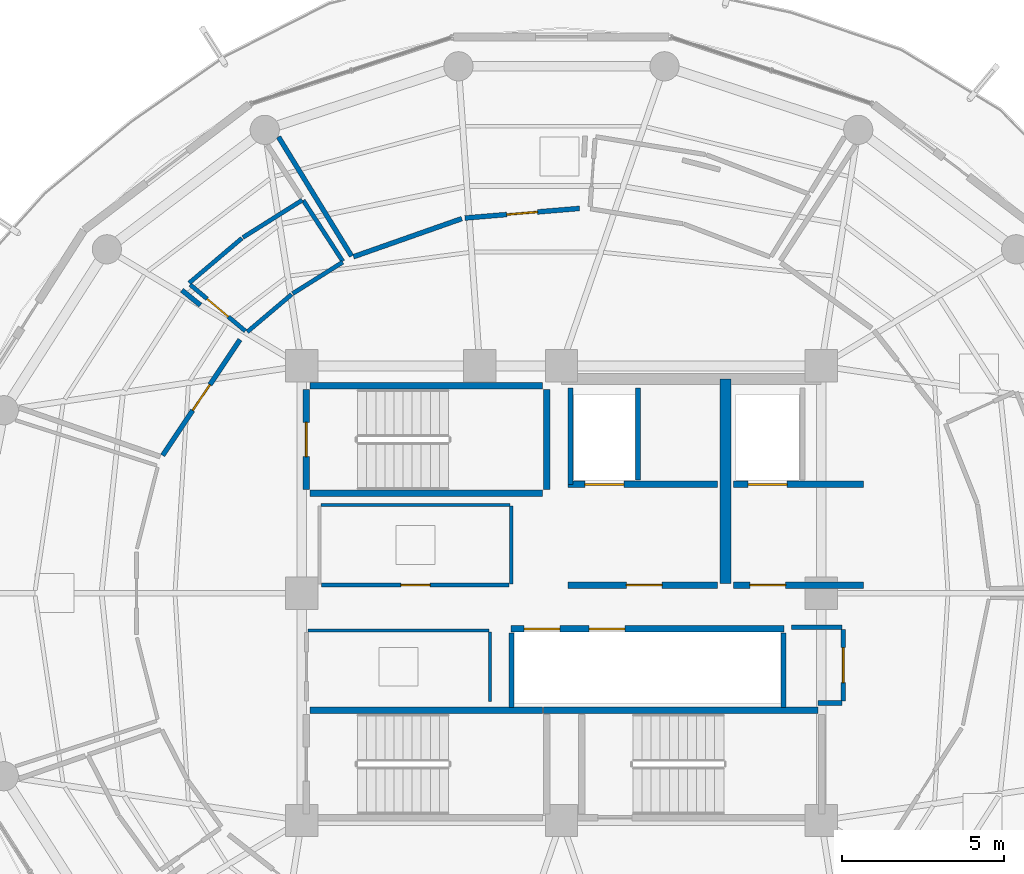
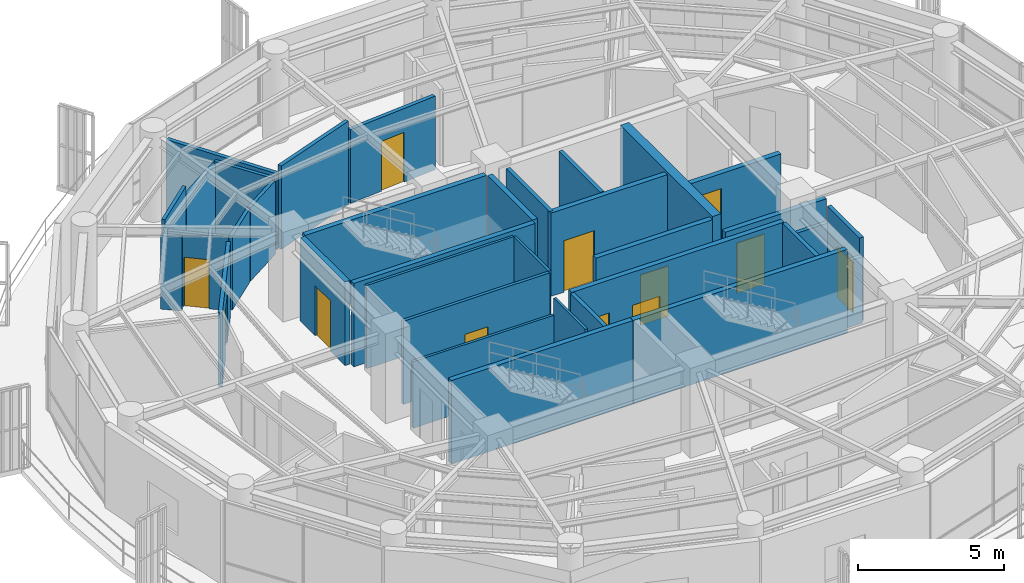
# One storey, part 16 of 22: 35 walls, 12 doors, 12 openings.
"""IFC4 building model written with IfcOpenShell, lengths in metres."""

import ifcopenshell
import ifcopenshell.guid

model = None  # the IFC model being written
_history = None  # IfcOwnerHistory: only IFC2X3 demands one
_inside = {}  # id of a spatial element -> (the spatial element, [elements in it])
_under = {}  # id of a project, library or spatial element -> (it, [spatial elements below it])
_declared = {}  # id of a project -> (the project, [libraries it declares])
_typed = {}  # id of a type object -> (the type object, [elements of that type])
_made_of = {}  # id of a material, layer set ... -> (it, [elements and type objects made of it])


def new_model(schema):
    """Start an empty IFC model of exactly this schema.

    Asked for "IFC4X3", IfcOpenShell would pick the latest addendum, in which some entities
    have other attributes; the version numbers below select the first issue.
    IFC2X3 requires an IfcOwnerHistory on every rooted entity: one is made here for all.
    """
    global model, _history
    if schema == "IFC4X3":
        model = ifcopenshell.file(schema_version=(4, 3, 0, 0))
    else:
        model = ifcopenshell.file(schema=schema)
    _inside.clear()
    _under.clear()
    _declared.clear()
    _typed.clear()
    _made_of.clear()
    _history = None
    if model.schema == "IFC2X3":
        org = make("IfcOrganization", Name="unknown")
        user = make(
            "IfcPersonAndOrganization",
            ThePerson=make("IfcPerson", FamilyName="unknown"),
            TheOrganization=org,
        )
        app = make(
            "IfcApplication",
            ApplicationDeveloper=org,
            Version="unknown",
            ApplicationFullName="unknown",
            ApplicationIdentifier="unknown",
        )
        _history = make(
            "IfcOwnerHistory",
            OwningUser=user,
            OwningApplication=app,
            ChangeAction="ADDED",
            CreationDate=0,
        )
    return model


def make(cls, **values):
    """One entity of the class cls with the attributes given. An attribute that is None is left unset."""
    return model.create_entity(
        cls, **{name: value for name, value in values.items() if value is not None}
    )


def rooted(cls, **values):
    """An entity with a GlobalId (a new one), such as an element, a storey or a relation."""
    return make(cls, GlobalId=ifcopenshell.guid.new(), OwnerHistory=_history, **values)


def si_unit(unit_type, name, prefix=None):
    """IfcSIUnit, for example si_unit("LENGTHUNIT", "METRE", prefix="MILLI")."""
    return make("IfcSIUnit", UnitType=unit_type, Prefix=prefix, Name=name)


def assignment(units):
    """IfcUnitAssignment: the units of a project."""
    return None if units is None else make("IfcUnitAssignment", Units=units)


def point(xyz):
    """IfcCartesianPoint."""
    return None if xyz is None else make("IfcCartesianPoint", Coordinates=xyz)


def direction(xyz):
    """IfcDirection."""
    return None if xyz is None else make("IfcDirection", DirectionRatios=xyz)


def frame(location, z_axis=None, x_axis=None):
    """IfcAxis2Placement3D, a coordinate frame: its origin and axes. An axis left out is left unset."""
    return make(
        "IfcAxis2Placement3D",
        Location=point(location),
        Axis=direction(z_axis),
        RefDirection=direction(x_axis),
    )


def frame_2d(location, x_axis=None):
    """IfcAxis2Placement2D, a coordinate frame in the plane: its origin and x axis."""
    return make(
        "IfcAxis2Placement2D", Location=point(location), RefDirection=direction(x_axis)
    )


def origin():
    """The frame at (0, 0, 0) with its axes left unset."""
    return frame((0.0, 0.0, 0.0))


def place(relative_to, where):
    """IfcLocalPlacement: puts the frame where relative to a parent placement (None: the world)."""
    return make(
        "IfcLocalPlacement", PlacementRelTo=relative_to, RelativePlacement=where
    )


def context(
    kind, dimensions, precision=None, world=None, true_north=None, identifier=None
):
    """IfcGeometricRepresentationContext, for example the 3D "Model" context."""
    return make(
        "IfcGeometricRepresentationContext",
        ContextIdentifier=identifier,
        ContextType=kind,
        CoordinateSpaceDimension=dimensions,
        Precision=precision,
        WorldCoordinateSystem=world,
        TrueNorth=true_north,
    )


def subcontext(parent, identifier, kind, view, scale=None):
    """IfcGeometricRepresentationSubContext, for example "Body" below "Model"."""
    return make(
        "IfcGeometricRepresentationSubContext",
        ContextIdentifier=identifier,
        ContextType=kind,
        ParentContext=parent,
        TargetScale=scale,
        TargetView=view,
    )


def project(units=None, contexts=None):
    """IfcProject with its units and contexts."""
    return rooted(
        "IfcProject",
        Name="project",
        RepresentationContexts=contexts,
        UnitsInContext=assignment(units),
    )


def spatial(cls, under=None, at=None, **own):
    """A site, building, storey or space (cls), placed at a placement, below another one or the project."""
    s = rooted(cls, ObjectPlacement=at, **own)
    if under is not None:
        _under.setdefault(under.id(), (under, []))[1].append(s)
    return s


def profile(cls, at=None, kind="AREA", **sizes):
    """A parametric profile (cls). Its sizes go by their IFC names, for example OverallWidth=200.0."""
    return make(cls, ProfileType=kind, Position=at, **sizes)


def rectangle(**sizes):
    """IfcRectangleProfileDef."""
    return profile("IfcRectangleProfileDef", **sizes)


def extrude(swept, where, along, depth):
    """IfcExtrudedAreaSolid: the profile swept, set in the frame where, extruded along a direction by depth."""
    return make(
        "IfcExtrudedAreaSolid",
        SweptArea=swept,
        Position=where,
        ExtrudedDirection=direction(along),
        Depth=depth,
    )


def shape(context_of_items, identifier, shape_type, items):
    """IfcShapeRepresentation: the items that make up one representation, for example the "Body"."""
    return make(
        "IfcShapeRepresentation",
        ContextOfItems=context_of_items,
        RepresentationIdentifier=identifier,
        RepresentationType=shape_type,
        Items=items,
    )


def material(Name=None, Category=None):
    """IfcMaterial."""
    return make("IfcMaterial", Name=Name, Category=Category)


def layer(
    of_material, thickness, ventilated=None, Name=None, Category=None, Priority=None
):
    """IfcMaterialLayer: one layer of a wall or slab, of a material (None: an air gap)."""
    return make(
        "IfcMaterialLayer",
        Material=of_material,
        LayerThickness=thickness,
        IsVentilated=ventilated,
        Name=Name,
        Category=Category,
        Priority=Priority,
    )


def layer_set(layers, Name=None):
    """IfcMaterialLayerSet."""
    return make("IfcMaterialLayerSet", MaterialLayers=layers, LayerSetName=Name)


def made_of(thing, what):
    """Note that an element or type object is made of a material, layer set ...; save() writes the relation."""
    if what is not None:
        _made_of.setdefault(what.id(), (what, []))[1].append(thing)
    return thing


def type_object(cls, material=None, **own):
    """A type object (cls), such as IfcWallType, which elements share."""
    return made_of(rooted(cls, **own), material)


def element(
    cls,
    number,
    at=None,
    inside=None,
    cuts=None,
    type_object=None,
    material=None,
    context=None,
    identifier="Body",
    shape_type=None,
    held_by="IfcProductDefinitionShape",
    body=None,
    shapes=None,
    **own,
):
    """One element of the class cls, such as IfcWall. Its Tag is "e" and its number.

    at: its placement. inside: the storey or other place that contains it. cuts: it is an
    opening in that element (IfcRelVoidsElement). A single representation is given by context,
    identifier, shape_type and body (its items); several are given by shapes. held_by: the class
    of the entity that holds the representations. save() writes the other relations.
    """
    e = rooted(cls, Tag="e%d" % number, ObjectPlacement=at, **own)
    if body is not None:
        shapes = [shape(context, identifier, shape_type, body)]
    if shapes is not None:
        e.Representation = make(held_by, Representations=shapes)
    if inside is not None:
        _inside.setdefault(inside.id(), (inside, []))[1].append(e)
    if cuts is not None:
        rooted(
            "IfcRelVoidsElement", RelatingBuildingElement=cuts, RelatedOpeningElement=e
        )
    if type_object is not None:
        _typed.setdefault(type_object.id(), (type_object, []))[1].append(e)
    return made_of(e, material)


def fill(opening, filler):
    """IfcRelFillsElement: the door or window that sits in an opening."""
    return rooted(
        "IfcRelFillsElement",
        RelatingOpeningElement=opening,
        RelatedBuildingElement=filler,
    )


def aggregate(whole, parts):
    """IfcRelAggregates: a whole, such as a stair, and the parts it consists of."""
    return rooted("IfcRelAggregates", RelatingObject=whole, RelatedObjects=parts)


def save(model, path):
    """Write the relations noted so far, then the file.

    IfcRelAggregates (storeys below a building ...), IfcRelContainedInSpatialStructure (elements
    in a storey), IfcRelDefinesByType, IfcRelAssociatesMaterial and IfcRelDeclares: one each for
    every whole, place, type object, material and project.
    """
    for whole, parts in _under.values():
        aggregate(whole, parts)
    for where, things in _inside.values():
        rooted(
            "IfcRelContainedInSpatialStructure",
            RelatedElements=things,
            RelatingStructure=where,
        )
    for kind, things in _typed.values():
        rooted("IfcRelDefinesByType", RelatedObjects=things, RelatingType=kind)
    for what, things in _made_of.values():
        rooted("IfcRelAssociatesMaterial", RelatedObjects=things, RelatingMaterial=what)
    for by, libraries in _declared.values():
        rooted("IfcRelDeclares", RelatingContext=by, RelatedDefinitions=libraries)
    model.write(path)


model = new_model("IFC4")

# Units and contexts
model_context = context("Model", 3, precision=1e-05, world=origin(), true_north=direction((0.0, 1.0)))
body_context = subcontext(model_context, "Body", "Model", "MODEL_VIEW")
ifc_project = project(units=[si_unit("LENGTHUNIT", "METRE"), si_unit("AREAUNIT", "SQUARE_METRE"), si_unit("VOLUMEUNIT", "CUBIC_METRE"), si_unit("PLANEANGLEUNIT", "RADIAN"), si_unit("MASSUNIT", "GRAM", prefix="KILO")], contexts=[model_context])

# Site, building, storey
site_placement = place(None, origin())
site = spatial("IfcSite", under=ifc_project, at=site_placement, CompositionType="ELEMENT")
building_placement = place(site_placement, origin())
building = spatial("IfcBuilding", under=site, at=building_placement, Name="Kelanora Arch Commons", CompositionType="ELEMENT")
storey_placement = place(building_placement, frame((0.0, 0.0, 271.199951171875)))
storey = spatial("IfcBuildingStorey", under=building, at=storey_placement, Name="L69", CompositionType="ELEMENT", Elevation=271.199951171875)

# Walls
ifc_material_1 = material(Name="Autoclaved aerated concrete blockwork with fire plaster", Category="masonry")
ifc_layer_1 = layer(ifc_material_1, 0.14990234375)
ifc_layer_set_1 = layer_set([ifc_layer_1], Name="Autoclaved aerated concrete blockwork with fire plaster")
wall_type_1 = type_object("IfcWallType", Name="W-COMP-150", PredefinedType="PARTITIONING", material=ifc_layer_set_1)
wall_1_placement = place(storey_placement, frame((74.280029296875, 61.35009765625, 0.0), z_axis=(0.0, 0.0, 1.0), x_axis=(0.0, 1.0, 0.0)))
element("IfcWall", 1, at=wall_1_placement, inside=storey, type_object=wall_type_1, Name="Firefighting Lift 1 West Shaft Wall L69", PredefinedType="PARTITIONING", context=body_context, shape_type="SweptSolid", body=[
    extrude(rectangle(XDim=2.969970703125, YDim=0.14990234375, at=frame_2d((1.48486328125, 0.0))), origin(), (0.0, 0.0, 1.0), 3.47998046875),
])
wall_2_placement = place(storey_placement, frame((76.360107421875, 61.47998046875, 0.0), z_axis=(0.0, 0.0, 1.0), x_axis=(0.0, 1.0, 0.0)))
element("IfcWall", 2, at=wall_2_placement, inside=storey, type_object=wall_type_1, Name="Firefighting Lift 1 East Shaft Wall L69", PredefinedType="PARTITIONING", context=body_context, shape_type="SweptSolid", body=[
    extrude(rectangle(XDim=2.840087890625, YDim=0.14990234375, at=frame_2d((1.419921875, 0.0))), origin(), (0.0, 0.0, 1.0), 3.47998046875),
])
for number, where, z_axis, x_axis, name in (
    (3, (72.4599609375, 54.47998046875, 0.0), (0.0, 0.0, 1.0), (0.0, 1.0, 0.0), "South Lift Bank West Wall L69"),
    (4, (80.840087890625, 54.47998046875, 0.0), (0.0, 0.0, 1.0), (0.0, 1.0, 0.0), "South Lift Bank East Wall L69"),
):
    element("IfcWall", number, at=place(storey_placement, frame(where, z_axis=z_axis, x_axis=x_axis)), inside=storey, type_object=wall_type_1, Name=name, PredefinedType="PARTITIONING", context=body_context, shape_type="SweptSolid", body=[
        extrude(rectangle(XDim=2.2900390625, YDim=0.14990234375, at=frame_2d((1.14501953125, 0.0))), origin(), (0.0, 0.0, 1.0), 3.47998046875),
    ])

# Wall, opening, door
wall_3_placement = place(storey_placement, frame((82.679931640625, 54.679931640625, 0.0), z_axis=(0.0, 0.0, 1.0), x_axis=(0.0, 1.0, 0.0)))
wall_3 = element("IfcWall", 5, at=wall_3_placement, inside=storey, type_object=wall_type_1, Name="Core Housekeeping Store L69 Entry Partition", PredefinedType="PARTITIONING", context=body_context, shape_type="SweptSolid", body=[
    extrude(rectangle(XDim=2.2099609375, YDim=0.14990234375, at=frame_2d((1.10498046875, 0.0))), origin(), (0.0, 0.0, 1.0), 3.47998046875),
])
opening_1_placement = place(wall_3_placement, frame((0.56494140625, 0.0, 0.0)))
opening_1 = element("IfcOpeningElement", 6, at=opening_1_placement, cuts=wall_3, Name="Opening D-PLT1", PredefinedType="OPENING", context=body_context, shape_type="SweptSolid", body=[
    extrude(rectangle(XDim=1.080078125, YDim=2.10009765625, at=frame_2d((0.5400390625, 1.050048828125))), frame((0.0, 0.0849609375, 0.0), z_axis=(0.0, -1.0, 0.0), x_axis=(1.0, 0.0, 0.0)), (0.0, 0.0, 1.0), 0.169921875),
])
ifc_material_2 = material(Name="Galvanised steel plant and riser fire door", Category="steel")
door_type_1 = type_object("IfcDoorType", Name="D-PLT-110", OperationType="NOTDEFINED", PredefinedType="DOOR", material=ifc_material_2)
door_1_placement = place(opening_1_placement, origin())
door_1 = element("IfcDoor", 7, at=door_1_placement, inside=storey, type_object=door_type_1, Name="Core Housekeeping Store L69 Door", OperationType="SINGLE_SWING_LEFT", OverallHeight=2.10009765625, OverallWidth=1.080078125, PredefinedType="DOOR", context=body_context, shape_type="SweptSolid", body=[
    extrude(rectangle(XDim=1.080078125, YDim=2.10009765625, at=frame_2d((0.5400390625, 1.050048828125))), frame((0.0, 0.02490234375, 0.0), z_axis=(0.0, -1.0, 0.0), x_axis=(1.0, 0.0, 0.0)), (0.0, 0.0, 1.0), 0.050048828125),
])
fill(opening_1, door_1)

wall_4_placement = place(storey_placement, frame((74.55322265625, 69.85205078125, 0.0), z_axis=(0.0, 0.0, 1.0), x_axis=(-0.996494196011, -0.083661922741, 0.0)))
wall_4 = element("IfcWall", 8, at=wall_4_placement, inside=storey, type_object=wall_type_1, Name="Co-Living Studio L69-01 Entry Partition", PredefinedType="PARTITIONING", context=body_context, shape_type="SweptSolid", body=[
    extrude(rectangle(XDim=3.539794921875, YDim=0.14990234375, at=frame_2d((1.77001953125, 0.0))), origin(), (0.0, 0.0, 1.0), 3.074951171875),
])
opening_2_placement = place(wall_4_placement, frame((1.294921875, 0.0, 0.0)))
opening_2 = element("IfcOpeningElement", 9, at=opening_2_placement, cuts=wall_4, Name="Opening D-CLU1", PredefinedType="OPENING", context=body_context, shape_type="SweptSolid", body=[
    extrude(rectangle(XDim=0.949951171875, YDim=2.080078125, at=frame_2d((0.47509765625, 1.0400390625))), frame((0.0, 0.0849609375, 0.0), z_axis=(0.0, -1.0, 0.0), x_axis=(1.0, 0.0, 0.0)), (0.0, 0.0, 1.0), 0.169921875),
])
ifc_material_3 = material(Name="Solid-core acoustic timber cluster entry fire door", Category="wood")
door_type_2 = type_object("IfcDoorType", Name="D-CLU-95", OperationType="NOTDEFINED", PredefinedType="DOOR", material=ifc_material_3)
door_2_placement = place(opening_2_placement, origin())
door_2 = element("IfcDoor", 10, at=door_2_placement, inside=storey, type_object=door_type_2, Name="Co-Living Studio L69-01 Door", OperationType="SINGLE_SWING_LEFT", OverallHeight=2.080078125, OverallWidth=0.949951171875, PredefinedType="DOOR", context=body_context, shape_type="SweptSolid", body=[
    extrude(rectangle(XDim=0.949951171875, YDim=2.080078125, at=frame_2d((0.47509765625, 1.0400390625))), frame((0.0, 0.02490234375, 0.0), z_axis=(0.0, -1.0, 0.0), x_axis=(1.0, 0.0, 0.0)), (0.0, 0.0, 1.0), 0.050048828125),
])
fill(opening_2, door_2)

wall_5_placement = place(storey_placement, frame((64.09765625, 65.81005859375, 0.0), z_axis=(0.0, 0.0, 1.0), x_axis=(-0.556013356557, -0.831173355763, 0.0)))
wall_5 = element("IfcWall", 11, at=wall_5_placement, inside=storey, type_object=wall_type_1, Name="Co-Living Studio L69-02 Entry Partition", PredefinedType="PARTITIONING", context=body_context, shape_type="SweptSolid", body=[
    extrude(rectangle(XDim=4.2880859375, YDim=0.14990234375, at=frame_2d((2.14404296875, 0.0))), origin(), (0.0, 0.0, 1.0), 3.074951171875),
])
opening_3_placement = place(wall_5_placement, frame((1.6689453125, 0.0, 0.0)))
opening_3 = element("IfcOpeningElement", 12, at=opening_3_placement, cuts=wall_5, Name="Opening D-CLU1", PredefinedType="OPENING", context=body_context, shape_type="SweptSolid", body=[
    extrude(rectangle(XDim=0.949951171875, YDim=2.080078125, at=frame_2d((0.47509765625, 1.0400390625))), frame((0.0, 0.0849609375, 0.0), z_axis=(0.0, -1.0, 0.0), x_axis=(1.0, 0.0, 0.0)), (0.0, 0.0, 1.0), 0.169921875),
])
door_3_placement = place(opening_3_placement, origin())
door_3 = element("IfcDoor", 13, at=door_3_placement, inside=storey, type_object=door_type_2, Name="Co-Living Studio L69-02 Door", OperationType="SINGLE_SWING_LEFT", OverallHeight=2.080078125, OverallWidth=0.949951171875, PredefinedType="DOOR", context=body_context, shape_type="SweptSolid", body=[
    extrude(rectangle(XDim=0.949951171875, YDim=2.080078125, at=frame_2d((0.47509765625, 1.0400390625))), frame((0.0, 0.02490234375, 0.0), z_axis=(0.0, -1.0, 0.0), x_axis=(1.0, 0.0, 0.0)), (0.0, 0.0, 1.0), 0.050048828125),
])
fill(opening_3, door_3)

# Walls
wall_6_placement = place(storey_placement, frame((81.89990234375, 54.6201171875, 0.0), z_axis=(0.0, 0.0, 1.0), x_axis=(1.0, 0.0, 0.0)))
element("IfcWall", 14, at=wall_6_placement, inside=storey, type_object=wall_type_1, Name="Core Housekeeping Store L69 Enclosure Partition 1", PredefinedType="PARTITIONING", context=body_context, shape_type="SweptSolid", body=[
    extrude(rectangle(XDim=0.739990234375, YDim=0.14990234375, at=frame_2d((0.3701171875, 0.0))), origin(), (0.0, 0.0, 1.0), 2.775146484375),
])
wall_7_placement = place(storey_placement, frame((82.639892578125, 56.949951171875, 0.0), z_axis=(0.0, 0.0, 1.0), x_axis=(-1.0, 0.0, 0.0)))
element("IfcWall", 15, at=wall_7_placement, inside=storey, type_object=wall_type_1, Name="Core Housekeeping Store L69 Enclosure Partition 3", PredefinedType="PARTITIONING", context=body_context, shape_type="SweptSolid", body=[
    extrude(rectangle(XDim=1.5498046875, YDim=0.14990234375, at=frame_2d((0.77490234375, 0.0))), origin(), (0.0, 0.0, 1.0), 2.775146484375),
])
wall_8_placement = place(storey_placement, frame((70.92822265625, 69.53759765625, 0.0), z_axis=(0.0, 0.0, 1.0), x_axis=(-0.943334007166, -0.331844769319, 0.0)))
element("IfcWall", 16, at=wall_8_placement, inside=storey, type_object=wall_type_1, Name="Co-Living Studio L69-01 Enclosure Partition 2", PredefinedType="PARTITIONING", context=body_context, shape_type="SweptSolid", body=[
    extrude(rectangle(XDim=3.535888671875, YDim=0.14990234375, at=frame_2d((1.76806640625, 0.0))), origin(), (0.0, 0.0, 1.0), 3.47998046875),
])
wall_9_placement = place(storey_placement, frame((67.5341796875, 68.385009765625, 0.0), z_axis=(0.0, 0.0, 1.0), x_axis=(-0.522784059663, 0.852465147066, 0.0)))
element("IfcWall", 17, at=wall_9_placement, inside=storey, type_object=wall_type_1, Name="Co-Living Studio L69-01 Enclosure Partition 3", PredefinedType="PARTITIONING", context=body_context, shape_type="SweptSolid", body=[
    extrude(rectangle(XDim=4.30615234375, YDim=0.14990234375, at=frame_2d((2.153076171875, 0.0))), origin(), (0.0, 0.0, 1.0), 3.175048828125),
])
wall_10_placement = place(storey_placement, frame((62.30810546875, 67.333984375, 0.0), z_axis=(0.0, 0.0, 1.0), x_axis=(0.777554041087, -0.628816120332, 0.0)))
element("IfcWall", 18, at=wall_10_placement, inside=storey, type_object=wall_type_1, Name="Co-Living Studio L69-02 Enclosure Partition 7", PredefinedType="PARTITIONING", context=body_context, shape_type="SweptSolid", body=[
    extrude(rectangle(XDim=0.7353515625, YDim=0.14990234375, at=frame_2d((0.36767578125, 0.0))), origin(), (0.0, 0.0, 1.0), 3.074951171875),
])
ifc_material_4 = material(Name="Concrete C50/60", Category="concrete")
ifc_layer_2 = layer(ifc_material_4, 0.35009765625)
ifc_layer_set_2 = layer_set([ifc_layer_2], Name="Concrete C50/60")
wall_type_2 = type_object("IfcWallType", Name="W-CORE-350", PredefinedType="SHEAR", material=ifc_layer_set_2)
wall_11_placement = place(storey_placement, frame((79.050048828125, 58.300048828125, 0.0), z_axis=(0.0, 0.0, 1.0), x_axis=(0.0, 1.0, 0.0)))
element("IfcWall", 19, at=wall_11_placement, inside=storey, type_object=wall_type_2, Name="Core Shear Spine L69-CE-N", PredefinedType="SHEAR", context=body_context, shape_type="SweptSolid", body=[
    extrude(rectangle(XDim=6.300048828125, YDim=0.35009765625, at=frame_2d((3.14990234375, 0.0))), origin(), (0.0, 0.0, 1.0), 3.489990234375),
])

# Wall, opening, door
ifc_material_5 = material(Name="Concrete C40/50", Category="concrete")
ifc_layer_3 = layer(ifc_material_5, 0.199951171875)
ifc_layer_set_3 = layer_set([ifc_layer_3], Name="Concrete C40/50")
wall_type_3 = type_object("IfcWallType", Name="W-FFL-200", PredefinedType="SOLIDWALL", material=ifc_layer_set_3)
wall_12_placement = place(storey_placement, frame((74.199951171875, 61.35009765625, 0.0), z_axis=(0.0, 0.0, 1.0), x_axis=(1.0, 0.0, 0.0)))
wall_12 = element("IfcWall", 20, at=wall_12_placement, inside=storey, type_object=wall_type_3, Name="Firefighting Lift 1 Shaft Front L69", PredefinedType="SOLIDWALL", context=body_context, shape_type="SweptSolid", body=[
    extrude(rectangle(XDim=4.60009765625, YDim=0.199951171875, at=frame_2d((2.300048828125, 0.0))), origin(), (0.0, 0.0, 1.0), 3.47998046875),
])
opening_4_placement = place(wall_12_placement, frame((0.52001953125, 0.0, 0.0)))
opening_4 = element("IfcOpeningElement", 21, at=opening_4_placement, cuts=wall_12, Name="Opening LD-FF", PredefinedType="OPENING", context=body_context, shape_type="SweptSolid", body=[
    extrude(rectangle(XDim=1.199951171875, YDim=2.14990234375, at=frame_2d((0.60009765625, 1.074951171875))), frame((0.0, 0.10986328125, 0.0), z_axis=(0.0, -1.0, 0.0), x_axis=(1.0, 0.0, 0.0)), (0.0, 0.0, 1.0), 0.219970703125),
])
ifc_material_6 = material(Name="Fire-rated firefighters lift sliding landing door")
door_type_3 = type_object("IfcDoorType", Name="D-LIFT-FF", OperationType="NOTDEFINED", PredefinedType="DOOR", material=ifc_material_6)
door_4_placement = place(opening_4_placement, origin())
door_4 = element("IfcDoor", 22, at=door_4_placement, inside=storey, type_object=door_type_3, Name="Firefighting Lift LF-FF1 Landing Door L69", OperationType="DOUBLE_DOOR_SLIDING", OverallHeight=2.14990234375, OverallWidth=1.199951171875, PredefinedType="DOOR", context=body_context, shape_type="SweptSolid", body=[
    extrude(rectangle(XDim=1.199951171875, YDim=2.14990234375, at=frame_2d((0.60009765625, 1.074951171875))), frame((0.0, 0.02490234375, 0.0), z_axis=(0.0, -1.0, 0.0), x_axis=(1.0, 0.0, 0.0)), (0.0, 0.0, 1.0), 0.050048828125),
])
fill(opening_4, door_4)

wall_13_placement = place(storey_placement, frame((79.300048828125, 61.35009765625, 0.0), z_axis=(0.0, 0.0, 1.0), x_axis=(1.0, 0.0, 0.0)))
wall_13 = element("IfcWall", 23, at=wall_13_placement, inside=storey, type_object=wall_type_3, Name="Firefighting Lift 2 Shaft Front L69", PredefinedType="SOLIDWALL", context=body_context, shape_type="SweptSolid", body=[
    extrude(rectangle(XDim=4.0, YDim=0.199951171875, at=frame_2d((2.0, 0.0))), origin(), (0.0, 0.0, 1.0), 2.775146484375),
])
opening_5_placement = place(wall_13_placement, frame((0.449951171875, 0.0, 0.0)))
opening_5 = element("IfcOpeningElement", 24, at=opening_5_placement, cuts=wall_13, Name="Opening LD-FF", PredefinedType="OPENING", context=body_context, shape_type="SweptSolid", body=[
    extrude(rectangle(XDim=1.199951171875, YDim=2.14990234375, at=frame_2d((0.60009765625, 1.074951171875))), frame((0.0, 0.10986328125, 0.0), z_axis=(0.0, -1.0, 0.0), x_axis=(1.0, 0.0, 0.0)), (0.0, 0.0, 1.0), 0.219970703125),
])
door_5_placement = place(opening_5_placement, origin())
door_5 = element("IfcDoor", 25, at=door_5_placement, inside=storey, type_object=door_type_3, Name="Firefighting Lift LF-FF2 Landing Door L69", OperationType="DOUBLE_DOOR_SLIDING", OverallHeight=2.14990234375, OverallWidth=1.199951171875, PredefinedType="DOOR", context=body_context, shape_type="SweptSolid", body=[
    extrude(rectangle(XDim=1.199951171875, YDim=2.14990234375, at=frame_2d((0.60009765625, 1.074951171875))), frame((0.0, 0.02490234375, 0.0), z_axis=(0.0, -1.0, 0.0), x_axis=(1.0, 0.0, 0.0)), (0.0, 0.0, 1.0), 0.050048828125),
])
fill(opening_5, door_5)

wall_14_placement = place(storey_placement, frame((74.199951171875, 58.25, 0.0), z_axis=(0.0, 0.0, 1.0), x_axis=(1.0, 0.0, 0.0)))
wall_14 = element("IfcWall", 26, at=wall_14_placement, inside=storey, type_object=wall_type_3, Name="Firefighting Lobby 1 Enclosure Wall L69", PredefinedType="SOLIDWALL", context=body_context, shape_type="SweptSolid", body=[
    extrude(rectangle(XDim=4.60009765625, YDim=0.199951171875, at=frame_2d((2.300048828125, 0.0))), origin(), (0.0, 0.0, 1.0), 3.47998046875),
])
opening_6_placement = place(wall_14_placement, frame((1.800048828125, 0.0, 0.0)))
opening_6 = element("IfcOpeningElement", 27, at=opening_6_placement, cuts=wall_14, Name="Opening D-FFL1", PredefinedType="OPENING", context=body_context, shape_type="SweptSolid", body=[
    extrude(rectangle(XDim=1.10009765625, YDim=2.10009765625, at=frame_2d((0.550048828125, 1.050048828125))), frame((0.0, 0.10986328125, 0.0), z_axis=(0.0, -1.0, 0.0), x_axis=(1.0, 0.0, 0.0)), (0.0, 0.0, 1.0), 0.219970703125),
])
ifc_material_7 = material(Name="Smoke-sealed firefighting lobby fire door")
door_type_4 = type_object("IfcDoorType", Name="D-FFL-110", OperationType="NOTDEFINED", PredefinedType="DOOR", material=ifc_material_7)
door_6_placement = place(opening_6_placement, frame((1.10009765625, 0.0, 0.0), z_axis=(0.0, 0.0, 1.0), x_axis=(-1.0, 0.0, 0.0)))
door_6 = element("IfcDoor", 28, at=door_6_placement, inside=storey, type_object=door_type_4, Name="Firefighting Lobby 1 Door L69", OperationType="SINGLE_SWING_LEFT", OverallHeight=2.10009765625, OverallWidth=1.10009765625, PredefinedType="DOOR", context=body_context, shape_type="SweptSolid", body=[
    extrude(rectangle(XDim=1.10009765625, YDim=2.10009765625, at=frame_2d((0.550048828125, 1.050048828125))), frame((0.0, 0.02490234375, 0.0), z_axis=(0.0, -1.0, 0.0), x_axis=(1.0, 0.0, 0.0)), (0.0, 0.0, 1.0), 0.050048828125),
])
fill(opening_6, door_6)

wall_15_placement = place(storey_placement, frame((79.300048828125, 58.25, 0.0), z_axis=(0.0, 0.0, 1.0), x_axis=(1.0, 0.0, 0.0)))
wall_15 = element("IfcWall", 29, at=wall_15_placement, inside=storey, type_object=wall_type_3, Name="Firefighting Lobby 2 Enclosure Wall L69", PredefinedType="SOLIDWALL", context=body_context, shape_type="SweptSolid", body=[
    extrude(rectangle(XDim=4.0, YDim=0.199951171875, at=frame_2d((2.0, 0.0))), origin(), (0.0, 0.0, 1.0), 2.775146484375),
])
opening_7_placement = place(wall_15_placement, frame((0.5, 0.0, 0.0)))
opening_7 = element("IfcOpeningElement", 30, at=opening_7_placement, cuts=wall_15, Name="Opening D-FFL1", PredefinedType="OPENING", context=body_context, shape_type="SweptSolid", body=[
    extrude(rectangle(XDim=1.10009765625, YDim=2.10009765625, at=frame_2d((0.550048828125, 1.050048828125))), frame((0.0, 0.10986328125, 0.0), z_axis=(0.0, -1.0, 0.0), x_axis=(1.0, 0.0, 0.0)), (0.0, 0.0, 1.0), 0.219970703125),
])
door_7_placement = place(opening_7_placement, frame((1.10009765625, 0.0, 0.0), z_axis=(0.0, 0.0, 1.0), x_axis=(-1.0, 0.0, 0.0)))
door_7 = element("IfcDoor", 31, at=door_7_placement, inside=storey, type_object=door_type_4, Name="Firefighting Lobby 2 Door L69", OperationType="SINGLE_SWING_RIGHT", OverallHeight=2.10009765625, OverallWidth=1.10009765625, PredefinedType="DOOR", context=body_context, shape_type="SweptSolid", body=[
    extrude(rectangle(XDim=1.10009765625, YDim=2.10009765625, at=frame_2d((0.550048828125, 1.050048828125))), frame((0.0, 0.02490234375, 0.0), z_axis=(0.0, -1.0, 0.0), x_axis=(1.0, 0.0, 0.0)), (0.0, 0.0, 1.0), 0.050048828125),
])
fill(opening_7, door_7)

# Wall, openings, doors
wall_16_placement = place(storey_placement, frame((72.449951171875, 56.89990234375, 0.0), z_axis=(0.0, 0.0, 1.0), x_axis=(1.0, 0.0, 0.0)))
wall_16 = element("IfcWall", 32, at=wall_16_placement, inside=storey, type_object=wall_type_3, Name="Mid/High/Express Lift Shaft Front L69", PredefinedType="SOLIDWALL", context=body_context, shape_type="SweptSolid", body=[
    extrude(rectangle(XDim=8.400146484375, YDim=0.199951171875, at=frame_2d((4.2001953125, 0.0))), origin(), (0.0, 0.0, 1.0), 3.47998046875),
])
opening_8_placement = place(wall_16_placement, frame((0.39990234375, 0.0, 0.0)))
opening_8 = element("IfcOpeningElement", 33, at=opening_8_placement, cuts=wall_16, Name="Opening LD-01", PredefinedType="OPENING", context=body_context, shape_type="SweptSolid", body=[
    extrude(rectangle(XDim=1.10009765625, YDim=2.10009765625, at=frame_2d((0.550048828125, 1.050048828125))), frame((0.0, 0.10986328125, 0.0), z_axis=(0.0, -1.0, 0.0), x_axis=(1.0, 0.0, 0.0)), (0.0, 0.0, 1.0), 0.219970703125),
])
opening_9_placement = place(wall_16_placement, frame((2.39990234375, 0.0, 0.0)))
opening_9 = element("IfcOpeningElement", 34, at=opening_9_placement, cuts=wall_16, Name="Opening LD-01", PredefinedType="OPENING", context=body_context, shape_type="SweptSolid", body=[
    extrude(rectangle(XDim=1.10009765625, YDim=2.10009765625, at=frame_2d((0.550048828125, 1.050048828125))), frame((0.0, 0.10986328125, 0.0), z_axis=(0.0, -1.0, 0.0), x_axis=(1.0, 0.0, 0.0)), (0.0, 0.0, 1.0), 0.219970703125),
])
ifc_material_8 = material(Name="Stainless steel passenger lift sliding landing door", Category="steel")
door_type_5 = type_object("IfcDoorType", Name="D-LIFT-110", OperationType="NOTDEFINED", PredefinedType="DOOR", material=ifc_material_8)
door_8_placement = place(opening_8_placement, origin())
door_8 = element("IfcDoor", 35, at=door_8_placement, inside=storey, type_object=door_type_5, Name="Passenger Lift LF-P7 Landing Door L69", OperationType="DOUBLE_DOOR_SLIDING", OverallHeight=2.10009765625, OverallWidth=1.10009765625, PredefinedType="DOOR", context=body_context, shape_type="SweptSolid", body=[
    extrude(rectangle(XDim=1.10009765625, YDim=2.10009765625, at=frame_2d((0.550048828125, 1.050048828125))), frame((0.0, 0.02490234375, 0.0), z_axis=(0.0, -1.0, 0.0), x_axis=(1.0, 0.0, 0.0)), (0.0, 0.0, 1.0), 0.050048828125),
])
fill(opening_8, door_8)
door_9_placement = place(opening_9_placement, origin())
door_9 = element("IfcDoor", 36, at=door_9_placement, inside=storey, type_object=door_type_5, Name="Passenger Lift LF-P8 Landing Door L69", OperationType="DOUBLE_DOOR_SLIDING", OverallHeight=2.10009765625, OverallWidth=1.10009765625, PredefinedType="DOOR", context=body_context, shape_type="SweptSolid", body=[
    extrude(rectangle(XDim=1.10009765625, YDim=2.10009765625, at=frame_2d((0.550048828125, 1.050048828125))), frame((0.0, 0.02490234375, 0.0), z_axis=(0.0, -1.0, 0.0), x_axis=(1.0, 0.0, 0.0)), (0.0, 0.0, 1.0), 0.050048828125),
])
fill(opening_9, door_9)

# Walls
ifc_material_9 = material(Name="Lightweight fire-rated acoustic stud partition")
ifc_layer_4 = layer(ifc_material_9, 0.10009765625)
ifc_layer_set_4 = layer_set([ifc_layer_4], Name="Lightweight fire-rated acoustic stud partition")
wall_type_4 = type_object("IfcWallType", Name="W-PART-100", PredefinedType="PARTITIONING", material=ifc_layer_set_4)
wall_17_placement = place(storey_placement, frame((72.449951171875, 58.2900390625, 0.0), z_axis=(0.0, 0.0, 1.0), x_axis=(0.0, 1.0, 0.0)))
element("IfcWall", 37, at=wall_17_placement, inside=storey, type_object=wall_type_4, Name="Reclaimed Core Study Pod Lounge L69 Enclosure Partition 2", PredefinedType="PARTITIONING", context=body_context, shape_type="SweptSolid", body=[
    extrude(rectangle(XDim=2.389892578125, YDim=0.10009765625, at=frame_2d((1.19482421875, 0.0))), origin(), (0.0, 0.0, 1.0), 3.47998046875),
])
wall_18_placement = place(storey_placement, frame((72.409912109375, 60.719970703125, 0.0), z_axis=(0.0, 0.0, 1.0), x_axis=(-1.0, 0.0, 0.0)))
element("IfcWall", 38, at=wall_18_placement, inside=storey, type_object=wall_type_4, Name="Reclaimed Core Study Pod Lounge L69 Enclosure Partition 3", PredefinedType="PARTITIONING", context=body_context, shape_type="SweptSolid", body=[
    extrude(rectangle(XDim=5.81982421875, YDim=0.10009765625, at=frame_2d((2.909912109375, 0.0))), origin(), (0.0, 0.0, 1.0), 3.47998046875),
])
wall_19_placement = place(storey_placement, frame((71.800048828125, 54.659912109375, 0.0), z_axis=(0.0, 0.0, 1.0), x_axis=(0.0, 1.0, 0.0)))
element("IfcWall", 39, at=wall_19_placement, inside=storey, type_object=wall_type_4, Name="Reclaimed Core High-Zone Pantry and Copy Room L69 Enclosure Partition 2", PredefinedType="PARTITIONING", context=body_context, shape_type="SweptSolid", body=[
    extrude(rectangle(XDim=2.150146484375, YDim=0.10009765625, at=frame_2d((1.0751953125, 0.0))), origin(), (0.0, 0.0, 1.0), 3.47998046875),
])
wall_20_placement = place(storey_placement, frame((71.760009765625, 56.85009765625, 0.0), z_axis=(0.0, 0.0, 1.0), x_axis=(-1.0, 0.0, 0.0)))
element("IfcWall", 40, at=wall_20_placement, inside=storey, type_object=wall_type_4, Name="Reclaimed Core High-Zone Pantry and Copy Room L69 Enclosure Partition 3", PredefinedType="PARTITIONING", context=body_context, shape_type="SweptSolid", body=[
    extrude(rectangle(XDim=5.570068359375, YDim=0.10009765625, at=frame_2d((2.78515625, 0.0))), origin(), (0.0, 0.0, 1.0), 2.775146484375),
])

# Wall, opening, door
ifc_material_10 = material(Name="Acoustic twin-stud fire-rated gypsum partition")
ifc_layer_5 = layer(ifc_material_10, 0.1201171875)
ifc_layer_set_5 = layer_set([ifc_layer_5], Name="Acoustic twin-stud fire-rated gypsum partition")
wall_type_5 = type_object("IfcWallType", Name="W-PART-120", PredefinedType="PARTITIONING", material=ifc_layer_set_5)
wall_21_placement = place(storey_placement, frame((66.610107421875, 58.25, 0.0), z_axis=(0.0, 0.0, 1.0), x_axis=(1.0, 0.0, 0.0)))
wall_21 = element("IfcWall", 41, at=wall_21_placement, inside=storey, type_object=wall_type_5, Name="Reclaimed Core Study Pod Lounge L69 Entry Partition", PredefinedType="PARTITIONING", context=body_context, shape_type="SweptSolid", body=[
    extrude(rectangle(XDim=5.77978515625, YDim=0.1201171875, at=frame_2d((2.889892578125, 0.0))), origin(), (0.0, 0.0, 1.0), 3.47998046875),
])
opening_10_placement = place(wall_21_placement, frame((2.43994140625, 0.0, 0.0)))
opening_10 = element("IfcOpeningElement", 42, at=opening_10_placement, cuts=wall_21, Name="Opening D-RM1", PredefinedType="OPENING", context=body_context, shape_type="SweptSolid", body=[
    extrude(rectangle(XDim=0.89990234375, YDim=2.080078125, at=frame_2d((0.449951171875, 1.0400390625))), frame((0.0, 0.070068359375, 0.0), z_axis=(0.0, -1.0, 0.0), x_axis=(1.0, 0.0, 0.0)), (0.0, 0.0, 1.0), 0.14013671875),
])
ifc_material_11 = material(Name="Acoustic fire-rated timber study and lounge door", Category="wood")
door_type_6 = type_object("IfcDoorType", Name="D-ROOM-90", OperationType="NOTDEFINED", PredefinedType="DOOR", material=ifc_material_11)
door_10_placement = place(opening_10_placement, origin())
door_10 = element("IfcDoor", 43, at=door_10_placement, inside=storey, type_object=door_type_6, Name="Reclaimed Core Study Pod Lounge L69 Door", OperationType="SINGLE_SWING_RIGHT", OverallHeight=2.080078125, OverallWidth=0.89990234375, PredefinedType="DOOR", context=body_context, shape_type="SweptSolid", body=[
    extrude(rectangle(XDim=0.89990234375, YDim=2.080078125, at=frame_2d((0.449951171875, 1.0400390625))), frame((0.0, 0.02490234375, 0.0), z_axis=(0.0, -1.0, 0.0), x_axis=(1.0, 0.0, 0.0)), (0.0, 0.0, 1.0), 0.050048828125),
])
fill(opening_10, door_10)

# Walls
ifc_layer_6 = layer(ifc_material_5, 0.199951171875)
ifc_layer_set_6 = layer_set([ifc_layer_6], Name="Concrete C40/50")
wall_type_6 = type_object("IfcWallType", Name="W-STAIR-200", PredefinedType="SHEAR", material=ifc_layer_set_6)
wall_22_placement = place(storey_placement, frame((66.260009765625, 61.080078125, 0.0), z_axis=(0.0, 0.0, 1.0), x_axis=(1.0, 0.0, 0.0)))
element("IfcWall", 44, at=wall_22_placement, inside=storey, type_object=wall_type_6, Name="Stair ST-T1 Shaft Wall S L69", PredefinedType="SHEAR", context=body_context, shape_type="SweptSolid", body=[
    extrude(rectangle(XDim=7.159912109375, YDim=0.199951171875, at=frame_2d((3.580078125, 0.0))), origin(), (0.0, 0.0, 1.0), 3.489990234375),
])
wall_23_placement = place(storey_placement, frame((73.5400390625, 61.199951171875, 0.0), z_axis=(0.0, 0.0, 1.0), x_axis=(0.0, 1.0, 0.0)))
element("IfcWall", 45, at=wall_23_placement, inside=storey, type_object=wall_type_6, Name="Stair ST-T1 Shaft Wall E L69", PredefinedType="SHEAR", context=body_context, shape_type="SweptSolid", body=[
    extrude(rectangle(XDim=3.070068359375, YDim=0.199951171875, at=frame_2d((1.53515625, 0.0))), origin(), (0.0, 0.0, 1.0), 3.489990234375),
])
wall_24_placement = place(storey_placement, frame((73.419921875, 64.389892578125, 0.0), z_axis=(0.0, 0.0, 1.0), x_axis=(-1.0, 0.0, 0.0)))
element("IfcWall", 46, at=wall_24_placement, inside=storey, type_object=wall_type_6, Name="Stair ST-T1 Shaft Wall N L69", PredefinedType="SHEAR", context=body_context, shape_type="SweptSolid", body=[
    extrude(rectangle(XDim=7.159912109375, YDim=0.199951171875, at=frame_2d((3.580078125, 0.0))), origin(), (0.0, 0.0, 1.0), 3.489990234375),
])

# Wall, opening, door
wall_25_placement = place(storey_placement, frame((66.139892578125, 64.27001953125, 0.0), z_axis=(0.0, 0.0, 1.0), x_axis=(0.0, -1.0, 0.0)))
wall_25 = element("IfcWall", 47, at=wall_25_placement, inside=storey, type_object=wall_type_6, Name="Stair ST-T1 Shaft Wall W L69", PredefinedType="SHEAR", context=body_context, shape_type="SweptSolid", body=[
    extrude(rectangle(XDim=3.070068359375, YDim=0.199951171875, at=frame_2d((1.53515625, 0.0))), origin(), (0.0, 0.0, 1.0), 3.489990234375),
])
opening_11_placement = place(wall_25_placement, frame((1.010009765625, 0.0, 0.0)))
opening_11 = element("IfcOpeningElement", 48, at=opening_11_placement, cuts=wall_25, Name="Opening D-ST1", PredefinedType="OPENING", context=body_context, shape_type="SweptSolid", body=[
    extrude(rectangle(XDim=1.050048828125, YDim=2.10009765625, at=frame_2d((0.52490234375, 1.050048828125))), frame((0.0, 0.10986328125, 0.0), z_axis=(0.0, -1.0, 0.0), x_axis=(1.0, 0.0, 0.0)), (0.0, 0.0, 1.0), 0.219970703125),
])
ifc_material_12 = material(Name="Steel fire-rated stairwell escape door", Category="steel")
door_type_7 = type_object("IfcDoorType", Name="D-STAIR-110", OperationType="NOTDEFINED", PredefinedType="DOOR", material=ifc_material_12)
door_11_placement = place(opening_11_placement, origin())
door_11 = element("IfcDoor", 49, at=door_11_placement, inside=storey, type_object=door_type_7, Name="Stair ST-T1 Escape Door L69", OperationType="SINGLE_SWING_LEFT", OverallHeight=2.10009765625, OverallWidth=1.050048828125, PredefinedType="DOOR", context=body_context, shape_type="SweptSolid", body=[
    extrude(rectangle(XDim=1.050048828125, YDim=2.10009765625, at=frame_2d((0.52490234375, 1.050048828125))), frame((0.0, 0.02490234375, 0.0), z_axis=(0.0, -1.0, 0.0), x_axis=(1.0, 0.0, 0.0)), (0.0, 0.0, 1.0), 0.050048828125),
])
fill(opening_11, door_11)

# Walls
wall_26_placement = place(storey_placement, frame((81.89990234375, 54.389892578125, 0.0), z_axis=(0.0, 0.0, 1.0), x_axis=(-1.0, 0.0, 0.0)))
element("IfcWall", 50, at=wall_26_placement, inside=storey, type_object=wall_type_6, Name="Stair ST-T2 Shaft Wall N L69", PredefinedType="SHEAR", context=body_context, shape_type="SweptSolid", body=[
    extrude(rectangle(XDim=8.4599609375, YDim=0.199951171875, at=frame_2d((4.22998046875, 0.0))), origin(), (0.0, 0.0, 1.0), 3.489990234375),
])
wall_27_placement = place(storey_placement, frame((73.419921875, 54.389892578125, 0.0), z_axis=(0.0, 0.0, 1.0), x_axis=(-1.0, 0.0, 0.0)))
element("IfcWall", 51, at=wall_27_placement, inside=storey, type_object=wall_type_6, Name="Stair ST-T3 Shaft Wall N L69", PredefinedType="SHEAR", context=body_context, shape_type="SweptSolid", body=[
    extrude(rectangle(XDim=7.159912109375, YDim=0.199951171875, at=frame_2d((3.580078125, 0.0))), origin(), (0.0, 0.0, 1.0), 3.489990234375),
])

# Wall, opening, door
ifc_material_13 = material(Name="Moisture-resistant fire-rated cement-board plumbing wall")
ifc_layer_7 = layer(ifc_material_13, 0.1298828125)
ifc_layer_set_7 = layer_set([ifc_layer_7], Name="Moisture-resistant fire-rated cement-board plumbing wall")
wall_type_7 = type_object("IfcWallType", Name="W-WET-120", PredefinedType="PLUMBINGWALL", material=ifc_layer_set_7)
wall_28_placement = place(storey_placement, frame((64.26220703125, 66.07568359375, 0.0), z_axis=(0.0, 0.0, 1.0), x_axis=(-0.765401481213, 0.643553084491, 0.0)))
wall_28 = element("IfcWall", 52, at=wall_28_placement, inside=storey, type_object=wall_type_7, Name="En-Suite Shower WC L69-02 Entry Partition", PredefinedType="PLUMBINGWALL", context=body_context, shape_type="SweptSolid", body=[
    extrude(rectangle(XDim=2.219970703125, YDim=0.1298828125, at=frame_2d((1.10986328125, 0.0))), origin(), (0.0, 0.0, 1.0), 3.074951171875),
])
opening_12_placement = place(wall_28_placement, frame((0.679931640625, 0.0, 0.0)))
opening_12 = element("IfcOpeningElement", 53, at=opening_12_placement, cuts=wall_28, Name="Opening D-BT1", PredefinedType="OPENING", context=body_context, shape_type="SweptSolid", body=[
    extrude(rectangle(XDim=0.860107421875, YDim=2.050048828125, at=frame_2d((0.43017578125, 1.02490234375))), frame((0.0, 0.074951171875, 0.0), z_axis=(0.0, -1.0, 0.0), x_axis=(1.0, 0.0, 0.0)), (0.0, 0.0, 1.0), 0.14990234375),
])
ifc_material_14 = material(Name="Moisture-sealed fire-rated accessible bathroom door")
door_type_8 = type_object("IfcDoorType", Name="D-BATH-85", OperationType="NOTDEFINED", PredefinedType="DOOR", material=ifc_material_14)
door_12_placement = place(opening_12_placement, origin())
door_12 = element("IfcDoor", 54, at=door_12_placement, inside=storey, type_object=door_type_8, Name="En-Suite Shower WC L69-02 Door", OperationType="SINGLE_SWING_RIGHT", OverallHeight=2.050048828125, OverallWidth=0.860107421875, PredefinedType="DOOR", context=body_context, shape_type="SweptSolid", body=[
    extrude(rectangle(XDim=0.860107421875, YDim=2.050048828125, at=frame_2d((0.43017578125, 1.02490234375))), frame((0.0, 0.02490234375, 0.0), z_axis=(0.0, -1.0, 0.0), x_axis=(1.0, 0.0, 0.0)), (0.0, 0.0, 1.0), 0.050048828125),
])
fill(opening_12, door_12)

# Walls
wall_29_placement = place(storey_placement, frame((67.259033203125, 68.1953125, 0.0), z_axis=(0.0, 0.0, 1.0), x_axis=(-0.84687872573, -0.531786069681, 0.0)))
element("IfcWall", 55, at=wall_29_placement, inside=storey, type_object=wall_type_7, Name="En-Suite Shower WC L69-02 Enclosure Partition 1", PredefinedType="PLUMBINGWALL", context=body_context, shape_type="SweptSolid", body=[
    extrude(rectangle(XDim=1.816162109375, YDim=0.1298828125, at=frame_2d((0.908203125, 0.0))), origin(), (0.0, 0.0, 1.0), 3.074951171875),
])
wall_30_placement = place(storey_placement, frame((65.688720703125, 67.2060546875, 0.0), z_axis=(0.0, 0.0, 1.0), x_axis=(-0.763153333227, -0.646217447911, 0.0)))
element("IfcWall", 56, at=wall_30_placement, inside=storey, type_object=wall_type_7, Name="En-Suite Shower WC L69-02 Enclosure Partition 2", PredefinedType="PLUMBINGWALL", context=body_context, shape_type="SweptSolid", body=[
    extrude(rectangle(XDim=1.789306640625, YDim=0.1298828125, at=frame_2d((0.89453125, 0.0))), origin(), (0.0, 0.0, 1.0), 3.074951171875),
])
wall_31_placement = place(storey_placement, frame((62.5322265625, 67.555908203125, 0.0), z_axis=(0.0, 0.0, 1.0), x_axis=(0.762363442866, 0.647149118042, 0.0)))
element("IfcWall", 57, at=wall_31_placement, inside=storey, type_object=wall_type_7, Name="En-Suite Shower WC L69-02 Enclosure Partition 4", PredefinedType="PLUMBINGWALL", context=body_context, shape_type="SweptSolid", body=[
    extrude(rectangle(XDim=2.129638671875, YDim=0.1298828125, at=frame_2d((1.06494140625, 0.0))), origin(), (0.0, 0.0, 1.0), 3.47998046875),
])
wall_32_placement = place(storey_placement, frame((64.18798828125, 68.957763671875, 0.0), z_axis=(0.0, 0.0, 1.0), x_axis=(0.846317763279, 0.532678367833, 0.0)))
element("IfcWall", 58, at=wall_32_placement, inside=storey, type_object=wall_type_7, Name="En-Suite Shower WC L69-02 Enclosure Partition 5", PredefinedType="PLUMBINGWALL", context=body_context, shape_type="SweptSolid", body=[
    extrude(rectangle(XDim=2.16015625, YDim=0.1298828125, at=frame_2d((1.080078125, 0.0))), origin(), (0.0, 0.0, 1.0), 3.074951171875),
])
wall_33_placement = place(storey_placement, frame((66.0439453125, 70.102294921875, 0.0), z_axis=(0.0, 0.0, 1.0), x_axis=(0.544858166378, -0.838528221667, 0.0)))
element("IfcWall", 59, at=wall_33_placement, inside=storey, type_object=wall_type_7, Name="En-Suite Shower WC L69-02 Enclosure Partition 6", PredefinedType="PLUMBINGWALL", context=body_context, shape_type="SweptSolid", body=[
    extrude(rectangle(XDim=2.2412109375, YDim=0.1298828125, at=frame_2d((1.12060546875, 0.0))), origin(), (0.0, 0.0, 1.0), 3.175048828125),
])

save(model, "model.ifc")
